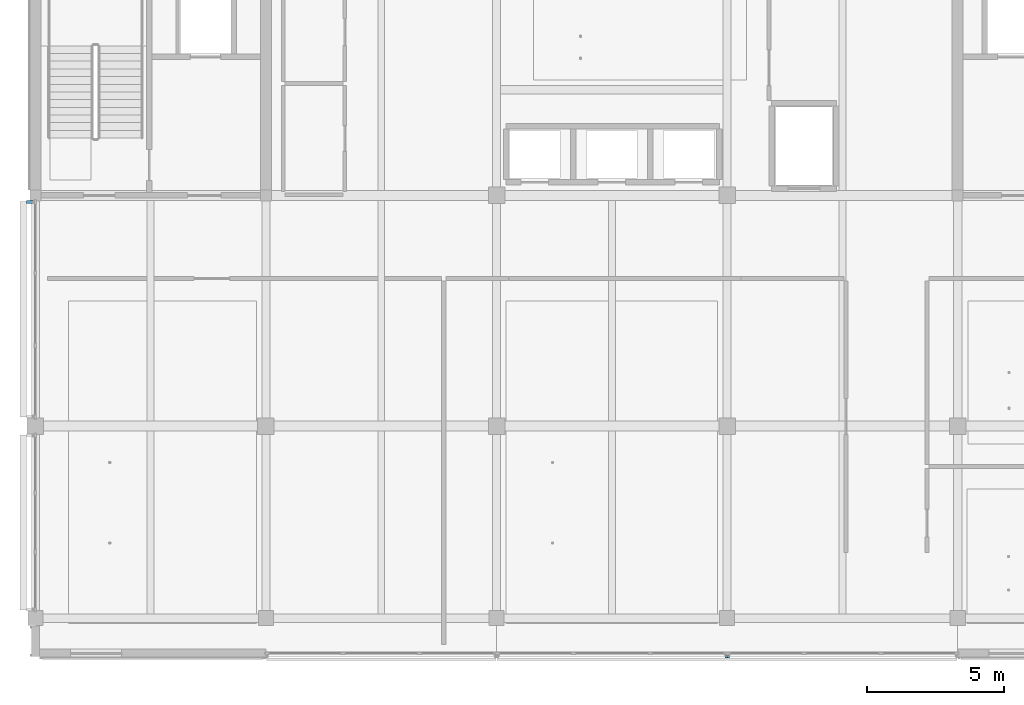
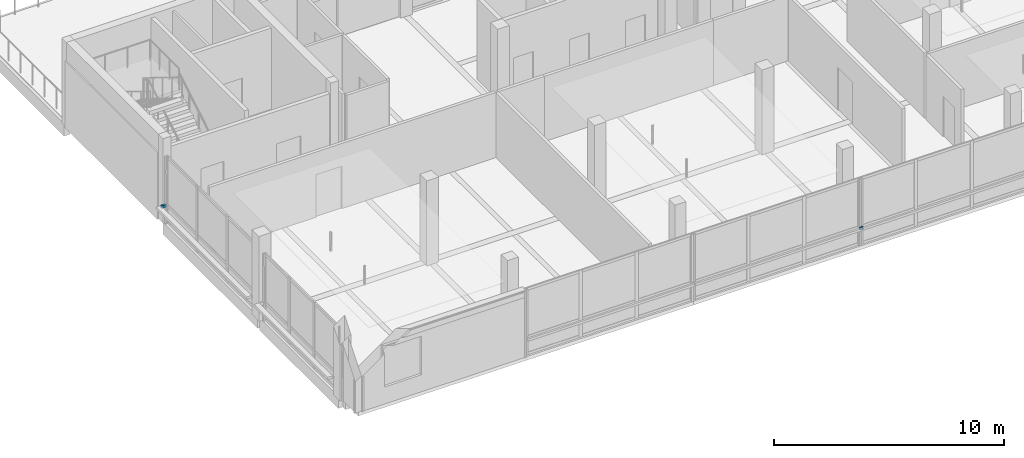
# One storey, part 11 of 25: 3 discrete accessories.
"""IFC4 building model written with IfcOpenShell, lengths in metres."""

import ifcopenshell
import ifcopenshell.guid

model = None  # the IFC model being written
_history = None  # IfcOwnerHistory: only IFC2X3 demands one
_inside = {}  # id of a spatial element -> (the spatial element, [elements in it])
_under = {}  # id of a project, library or spatial element -> (it, [spatial elements below it])
_declared = {}  # id of a project -> (the project, [libraries it declares])
_typed = {}  # id of a type object -> (the type object, [elements of that type])
_made_of = {}  # id of a material, layer set ... -> (it, [elements and type objects made of it])


def new_model(schema):
    """Start an empty IFC model of exactly this schema.

    Asked for "IFC4X3", IfcOpenShell would pick the latest addendum, in which some entities
    have other attributes; the version numbers below select the first issue.
    IFC2X3 requires an IfcOwnerHistory on every rooted entity: one is made here for all.
    """
    global model, _history
    if schema == "IFC4X3":
        model = ifcopenshell.file(schema_version=(4, 3, 0, 0))
    else:
        model = ifcopenshell.file(schema=schema)
    _inside.clear()
    _under.clear()
    _declared.clear()
    _typed.clear()
    _made_of.clear()
    _history = None
    if model.schema == "IFC2X3":
        org = make("IfcOrganization", Name="unknown")
        user = make(
            "IfcPersonAndOrganization",
            ThePerson=make("IfcPerson", FamilyName="unknown"),
            TheOrganization=org,
        )
        app = make(
            "IfcApplication",
            ApplicationDeveloper=org,
            Version="unknown",
            ApplicationFullName="unknown",
            ApplicationIdentifier="unknown",
        )
        _history = make(
            "IfcOwnerHistory",
            OwningUser=user,
            OwningApplication=app,
            ChangeAction="ADDED",
            CreationDate=0,
        )
    return model


def make(cls, **values):
    """One entity of the class cls with the attributes given. An attribute that is None is left unset."""
    return model.create_entity(
        cls, **{name: value for name, value in values.items() if value is not None}
    )


def rooted(cls, **values):
    """An entity with a GlobalId (a new one), such as an element, a storey or a relation."""
    return make(cls, GlobalId=ifcopenshell.guid.new(), OwnerHistory=_history, **values)


def si_unit(unit_type, name, prefix=None):
    """IfcSIUnit, for example si_unit("LENGTHUNIT", "METRE", prefix="MILLI")."""
    return make("IfcSIUnit", UnitType=unit_type, Prefix=prefix, Name=name)


def assignment(units):
    """IfcUnitAssignment: the units of a project."""
    return None if units is None else make("IfcUnitAssignment", Units=units)


def point(xyz):
    """IfcCartesianPoint."""
    return None if xyz is None else make("IfcCartesianPoint", Coordinates=xyz)


def direction(xyz):
    """IfcDirection."""
    return None if xyz is None else make("IfcDirection", DirectionRatios=xyz)


def frame(location, z_axis=None, x_axis=None):
    """IfcAxis2Placement3D, a coordinate frame: its origin and axes. An axis left out is left unset."""
    return make(
        "IfcAxis2Placement3D",
        Location=point(location),
        Axis=direction(z_axis),
        RefDirection=direction(x_axis),
    )


def frame_2d(location, x_axis=None):
    """IfcAxis2Placement2D, a coordinate frame in the plane: its origin and x axis."""
    return make(
        "IfcAxis2Placement2D", Location=point(location), RefDirection=direction(x_axis)
    )


def origin():
    """The frame at (0, 0, 0) with its axes left unset."""
    return frame((0.0, 0.0, 0.0))


def origin_2d():
    """The frame at (0, 0) in the plane with its x axis left unset."""
    return frame_2d((0.0, 0.0))


def place(relative_to, where):
    """IfcLocalPlacement: puts the frame where relative to a parent placement (None: the world)."""
    return make(
        "IfcLocalPlacement", PlacementRelTo=relative_to, RelativePlacement=where
    )


def context(
    kind, dimensions, precision=None, world=None, true_north=None, identifier=None
):
    """IfcGeometricRepresentationContext, for example the 3D "Model" context."""
    return make(
        "IfcGeometricRepresentationContext",
        ContextIdentifier=identifier,
        ContextType=kind,
        CoordinateSpaceDimension=dimensions,
        Precision=precision,
        WorldCoordinateSystem=world,
        TrueNorth=true_north,
    )


def subcontext(parent, identifier, kind, view, scale=None):
    """IfcGeometricRepresentationSubContext, for example "Body" below "Model"."""
    return make(
        "IfcGeometricRepresentationSubContext",
        ContextIdentifier=identifier,
        ContextType=kind,
        ParentContext=parent,
        TargetScale=scale,
        TargetView=view,
    )


def project(units=None, contexts=None):
    """IfcProject with its units and contexts."""
    return rooted(
        "IfcProject",
        Name="project",
        RepresentationContexts=contexts,
        UnitsInContext=assignment(units),
    )


def spatial(cls, under=None, at=None, **own):
    """A site, building, storey or space (cls), placed at a placement, below another one or the project."""
    s = rooted(cls, ObjectPlacement=at, **own)
    if under is not None:
        _under.setdefault(under.id(), (under, []))[1].append(s)
    return s


def profile(cls, at=None, kind="AREA", **sizes):
    """A parametric profile (cls). Its sizes go by their IFC names, for example OverallWidth=200.0."""
    return make(cls, ProfileType=kind, Position=at, **sizes)


def rectangle(**sizes):
    """IfcRectangleProfileDef."""
    return profile("IfcRectangleProfileDef", **sizes)


def extrude(swept, where, along, depth):
    """IfcExtrudedAreaSolid: the profile swept, set in the frame where, extruded along a direction by depth."""
    return make(
        "IfcExtrudedAreaSolid",
        SweptArea=swept,
        Position=where,
        ExtrudedDirection=direction(along),
        Depth=depth,
    )


def shape(context_of_items, identifier, shape_type, items):
    """IfcShapeRepresentation: the items that make up one representation, for example the "Body"."""
    return make(
        "IfcShapeRepresentation",
        ContextOfItems=context_of_items,
        RepresentationIdentifier=identifier,
        RepresentationType=shape_type,
        Items=items,
    )


def material(Name=None, Category=None):
    """IfcMaterial."""
    return make("IfcMaterial", Name=Name, Category=Category)


def made_of(thing, what):
    """Note that an element or type object is made of a material, layer set ...; save() writes the relation."""
    if what is not None:
        _made_of.setdefault(what.id(), (what, []))[1].append(thing)
    return thing


def type_object(cls, material=None, **own):
    """A type object (cls), such as IfcWallType, which elements share."""
    return made_of(rooted(cls, **own), material)


def element(
    cls,
    number,
    at=None,
    inside=None,
    cuts=None,
    type_object=None,
    material=None,
    context=None,
    identifier="Body",
    shape_type=None,
    held_by="IfcProductDefinitionShape",
    body=None,
    shapes=None,
    **own,
):
    """One element of the class cls, such as IfcWall. Its Tag is "e" and its number.

    at: its placement. inside: the storey or other place that contains it. cuts: it is an
    opening in that element (IfcRelVoidsElement). A single representation is given by context,
    identifier, shape_type and body (its items); several are given by shapes. held_by: the class
    of the entity that holds the representations. save() writes the other relations.
    """
    e = rooted(cls, Tag="e%d" % number, ObjectPlacement=at, **own)
    if body is not None:
        shapes = [shape(context, identifier, shape_type, body)]
    if shapes is not None:
        e.Representation = make(held_by, Representations=shapes)
    if inside is not None:
        _inside.setdefault(inside.id(), (inside, []))[1].append(e)
    if cuts is not None:
        rooted(
            "IfcRelVoidsElement", RelatingBuildingElement=cuts, RelatedOpeningElement=e
        )
    if type_object is not None:
        _typed.setdefault(type_object.id(), (type_object, []))[1].append(e)
    return made_of(e, material)


def aggregate(whole, parts):
    """IfcRelAggregates: a whole, such as a stair, and the parts it consists of."""
    return rooted("IfcRelAggregates", RelatingObject=whole, RelatedObjects=parts)


def save(model, path):
    """Write the relations noted so far, then the file.

    IfcRelAggregates (storeys below a building ...), IfcRelContainedInSpatialStructure (elements
    in a storey), IfcRelDefinesByType, IfcRelAssociatesMaterial and IfcRelDeclares: one each for
    every whole, place, type object, material and project.
    """
    for whole, parts in _under.values():
        aggregate(whole, parts)
    for where, things in _inside.values():
        rooted(
            "IfcRelContainedInSpatialStructure",
            RelatedElements=things,
            RelatingStructure=where,
        )
    for kind, things in _typed.values():
        rooted("IfcRelDefinesByType", RelatedObjects=things, RelatingType=kind)
    for what, things in _made_of.values():
        rooted("IfcRelAssociatesMaterial", RelatedObjects=things, RelatingMaterial=what)
    for by, libraries in _declared.values():
        rooted("IfcRelDeclares", RelatingContext=by, RelatedDefinitions=libraries)
    model.write(path)


model = new_model("IFC4")

# Units and contexts
model_context = context("Model", 3, precision=1e-05, world=origin(), true_north=direction((0.0, 1.0)))
body_context = subcontext(model_context, "Body", "Model", "MODEL_VIEW")
ifc_project = project(units=[si_unit("LENGTHUNIT", "METRE"), si_unit("AREAUNIT", "SQUARE_METRE"), si_unit("VOLUMEUNIT", "CUBIC_METRE"), si_unit("PLANEANGLEUNIT", "RADIAN"), si_unit("MASSUNIT", "GRAM", prefix="KILO")], contexts=[model_context])

# Site, building, storey
site_placement = place(None, origin())
site = spatial("IfcSite", under=ifc_project, at=site_placement, CompositionType="ELEMENT")
building_placement = place(site_placement, origin())
building = spatial("IfcBuilding", under=site, at=building_placement, Name="Telukmera Botanical Conservatory", CompositionType="ELEMENT")
storey_placement = place(building_placement, frame((0.0, 0.0, 64.5)))
storey = spatial("IfcBuildingStorey", under=building, at=storey_placement, Name="L14", CompositionType="ELEMENT", Elevation=64.5)

# Discrete accessories
ifc_material = material(Name="Steel S355", Category="steel")
discrete_accessory_type = type_object("IfcDiscreteAccessoryType", Name="Structural Steel Facade Outrigger Fin Bracket", PredefinedType="BRACKET", material=ifc_material)
for number, where, z_axis, x_axis, name in (
    (1, (83.965576171875, 9.195068359375, 0.8798828125), (0.0, 0.0, 1.0), (1.0, 0.0, 0.0), "Facade Outrigger Bracket V4:L14:S3 B"),
    (2, (84.034423828125, 9.195068359375, 0.8798828125), (0.0, 0.0, 1.0), (1.0, 0.0, 0.0), "Facade Outrigger Bracket V4:L14:S4 A"),
):
    element("IfcDiscreteAccessory", number, at=place(storey_placement, frame(where, z_axis=z_axis, x_axis=x_axis)), inside=storey, type_object=discrete_accessory_type, Name=name, PredefinedType="BRACKET", context=body_context, shape_type="SweptSolid", body=[
        extrude(rectangle(XDim=0.10009765625, YDim=0.090087890625, at=origin_2d()), origin(), (0.0, 0.0, 1.0), 0.139892578125),
    ])
discrete_accessory_placement = place(storey_placement, frame((58.60009765625, 25.765380859375, 0.8798828125), z_axis=(0.0, 0.0, 1.0), x_axis=(0.0, 1.0, 0.0)))
element("IfcDiscreteAccessory", 3, at=discrete_accessory_placement, inside=storey, type_object=discrete_accessory_type, Name="Facade Outrigger Bracket V4:L14:W2 B", PredefinedType="BRACKET", context=body_context, shape_type="SweptSolid", body=[
    extrude(rectangle(XDim=0.10009765625, YDim=0.239990234375, at=origin_2d()), origin(), (0.0, 0.0, 1.0), 0.139892578125),
])

save(model, "model.ifc")
